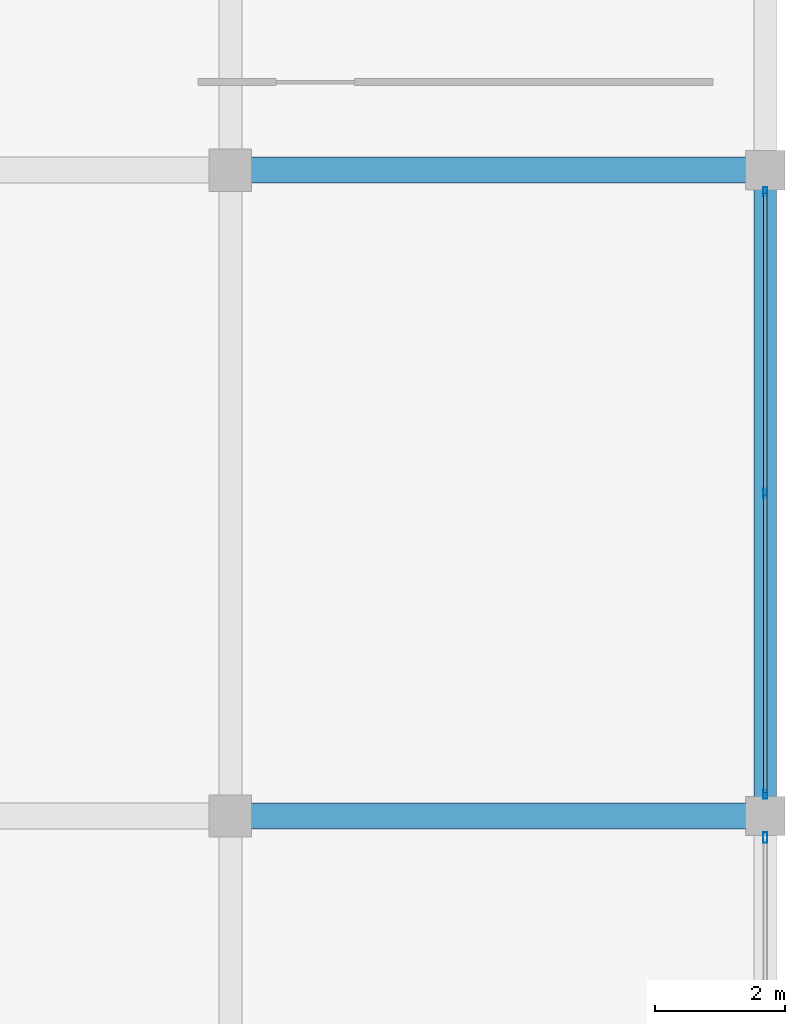
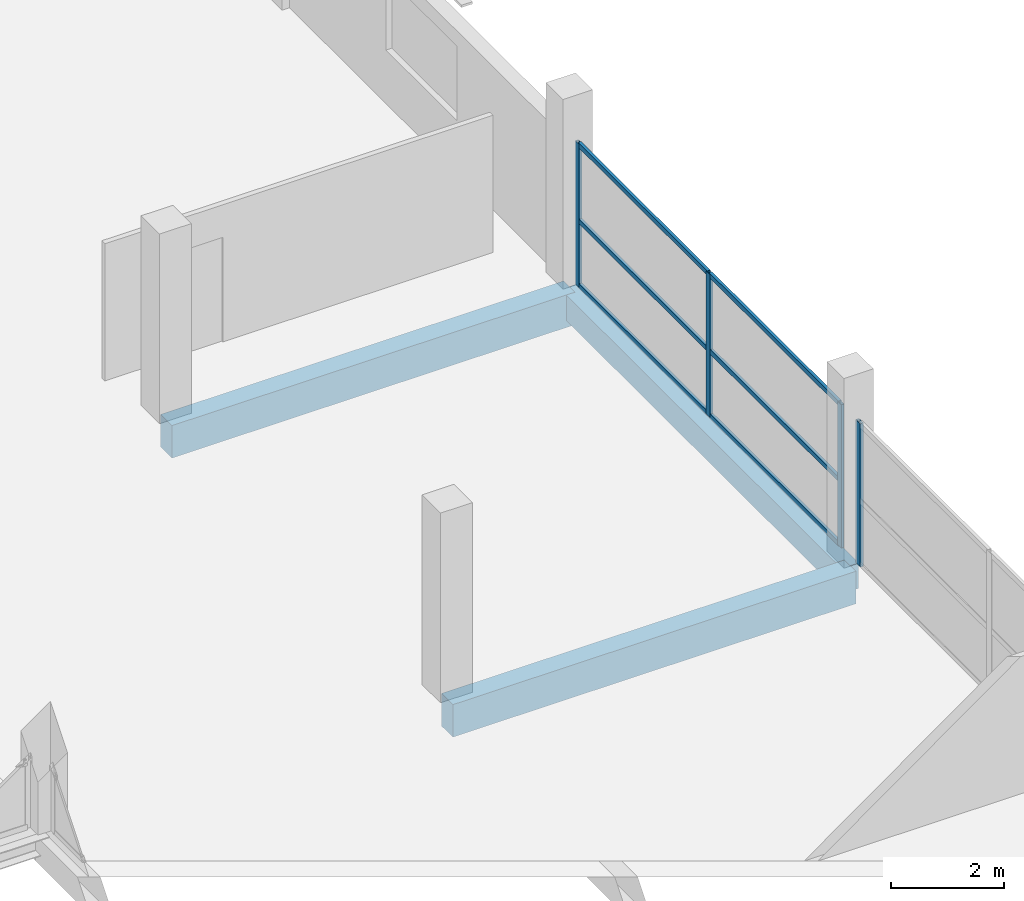
# One storey, part 43 of 70: 10 members, 3 beams, 2 elements without a shape of their own.
"""IFC4 building model written with IfcOpenShell, lengths in metres."""

from ifc_helpers import new_model, si_unit, direction, frame, origin, origin_2d, place, context, subcontext, project, spatial, rectangle, hollow_rectangle, extrude, material, layer, layer_set, material_profile, profile_set, type_object, element, aggregate, save


model = new_model("IFC4")

# Units and contexts
model_context = context("Model", 3, precision=1e-05, world=origin(), true_north=direction((0.0, 1.0)))
body_context = subcontext(model_context, "Body", "Model", "MODEL_VIEW")
ifc_project = project(units=[si_unit("LENGTHUNIT", "METRE"), si_unit("AREAUNIT", "SQUARE_METRE"), si_unit("VOLUMEUNIT", "CUBIC_METRE"), si_unit("PLANEANGLEUNIT", "RADIAN"), si_unit("MASSUNIT", "GRAM", prefix="KILO")], contexts=[model_context])

# Site, building, storey
site_placement = place(None, origin())
site = spatial("IfcSite", under=ifc_project, at=site_placement, CompositionType="ELEMENT")
building_placement = place(site_placement, origin())
building = spatial("IfcBuilding", under=site, at=building_placement, Name="Sillaruma Civic Art Gallery", CompositionType="ELEMENT")
storey_placement = place(building_placement, frame((0.0, 0.0, 66.300048828125)))
storey = spatial("IfcBuildingStorey", under=building, at=storey_placement, Name="L13", CompositionType="ELEMENT", Elevation=66.300048828125)

# Beams
ifc_material_1 = material(Name="Concrete H35 (35 MPa)", Category="concrete")
ifc_material_profile_1 = material_profile(ifc_material_1, rectangle(XDim=0.39990234375, YDim=0.699951171875, at=origin_2d()), Name="RCB400x700")
ifc_profile_set_1 = profile_set([ifc_material_profile_1], Name="Concrete H35 (35 MPa)")
beam_type_1 = type_object("IfcBeamType", Name="BM-BEAM-RCB400x700", PredefinedType="BEAM", material=ifc_profile_set_1)
for number, where, z_axis, x_axis, name in (
    (1, (106.199951171875, 69.300048828125, -0.580078125), (1.0, 0.0, 0.0), (0.0, 1.0, 0.0), "Beam BM-04 (L12:8:M-N)"),
    (2, (106.199951171875, 79.199951171875, -0.580078125), (1.0, 0.0, 0.0), (0.0, 1.0, 0.0), "Beam BM-04 (L12:9:M-N)"),
):
    element("IfcBeam", number, at=place(storey_placement, frame(where, z_axis=z_axis, x_axis=x_axis)), inside=storey, type_object=beam_type_1, Name=name, PredefinedType="BEAM", context=body_context, shape_type="SweptSolid", body=[
        extrude(rectangle(XDim=0.39990234375, YDim=0.699951171875, at=origin_2d()), origin(), (0.0, 0.0, 1.0), 8.199951171875),
    ])
ifc_material_profile_2 = material_profile(ifc_material_1, rectangle(XDim=0.35009765625, YDim=0.550048828125, at=origin_2d()), Name="RCB350x550")
ifc_profile_set_2 = profile_set([ifc_material_profile_2], Name="Concrete H35 (35 MPa)")
beam_type_2 = type_object("IfcBeamType", Name="BM-SPANDREL-RCB350x550", PredefinedType="SPANDREL", material=ifc_profile_set_2)
beam_placement = place(storey_placement, frame((114.39990234375, 69.300048828125, -0.505126953125), z_axis=(0.0, 1.0, 0.0), x_axis=(-1.0, 0.0, 0.0)))
element("IfcBeam", 3, at=beam_placement, inside=storey, type_object=beam_type_2, Name="Beam BS-04 (L12:N:8-9)", PredefinedType="SPANDREL", context=body_context, shape_type="SweptSolid", body=[
    extrude(rectangle(XDim=0.35009765625, YDim=0.550048828125, at=origin_2d()), origin(), (0.0, 0.0, 1.0), 9.89990234375),
])

# Curtain wall, members
ifc_material_2 = material(Name="Thermally Broken Extruded Aluminium 6063-T6", Category="aluminium")
ifc_layer_1 = layer(ifc_material_2, 0.139892578125, Name="Thermally Broken Extruded Aluminium 6063-T6")
ifc_layer_set_1 = layer_set([ifc_layer_1], Name="Thermally Broken Extruded Aluminium 6063-T6")
curtain_wall_type_1 = type_object("IfcCurtainWallType", Name="CW-UNI-98", PredefinedType="NOTDEFINED", material=ifc_layer_set_1)
curtain_wall_1_placement = place(storey_placement, origin())
curtain_wall_1 = element("IfcCurtainWall", 4, at=curtain_wall_1_placement, inside=storey, type_object=curtain_wall_type_1, Name="Unitised Curtain Wall CW-98 (CW-L13-EBE-6)", PredefinedType="NOTDEFINED")
ifc_material_profile_3 = material_profile(ifc_material_2, hollow_rectangle(XDim=0.06005859375, YDim=0.139892578125, WallThickness=0.00341796875, at=origin_2d()), Name="CWM60x140")
ifc_profile_set_3 = profile_set([ifc_material_profile_3], Name="Thermally Broken Extruded Aluminium 6063-T6")
member_type_1 = type_object("IfcMemberType", Name="MEM-MUL-CWM60x140", PredefinedType="MULLION", material=ifc_profile_set_3)
member_1_placement = place(storey_placement, frame((114.39990234375, 69.6298828125, 0.0), z_axis=(0.0, 0.0, 1.0), x_axis=(-1.0, 0.0, 0.0)))
member_1 = element("IfcMember", 5, at=member_1_placement, type_object=member_type_1, Name="CW-98 mullion 1", PredefinedType="MULLION", context=body_context, shape_type="SweptSolid", body=[
    extrude(hollow_rectangle(XDim=0.06005859375, YDim=0.139892578125, WallThickness=0.00341796875, at=origin_2d()), origin(), (0.0, 0.0, 1.0), 3.079833984375),
])
member_2_placement = place(storey_placement, frame((114.39990234375, 74.25, 0.0), z_axis=(0.0, 0.0, 1.0), x_axis=(-1.0, 0.0, 0.0)))
member_2 = element("IfcMember", 6, at=member_2_placement, type_object=member_type_1, Name="CW-98 mullion 2", PredefinedType="MULLION", context=body_context, shape_type="SweptSolid", body=[
    extrude(hollow_rectangle(XDim=0.06005859375, YDim=0.139892578125, WallThickness=0.00341796875, at=origin_2d()), origin(), (0.0, 0.0, 1.0), 3.079833984375),
])
member_3_placement = place(storey_placement, frame((114.39990234375, 78.8701171875, 0.0), z_axis=(0.0, 0.0, 1.0), x_axis=(-1.0, 0.0, 0.0)))
member_3 = element("IfcMember", 7, at=member_3_placement, type_object=member_type_1, Name="CW-98 mullion 3", PredefinedType="MULLION", context=body_context, shape_type="SweptSolid", body=[
    extrude(hollow_rectangle(XDim=0.06005859375, YDim=0.139892578125, WallThickness=0.00341796875, at=origin_2d()), origin(), (0.0, 0.0, 1.0), 3.079833984375),
])

# Curtain wall, member
ifc_layer_2 = layer(ifc_material_2, 0.159912109375, Name="Thermally Broken Extruded Aluminium 6063-T6")
ifc_layer_set_2 = layer_set([ifc_layer_2], Name="Thermally Broken Extruded Aluminium 6063-T6")
curtain_wall_type_2 = type_object("IfcCurtainWallType", Name="CW-UNI-102", PredefinedType="NOTDEFINED", material=ifc_layer_set_2)
curtain_wall_2_placement = place(storey_placement, origin())
curtain_wall_2 = element("IfcCurtainWall", 8, at=curtain_wall_2_placement, inside=storey, type_object=curtain_wall_type_2, Name="Unitised Curtain Wall CW-102 (CW-L13-EBE-5)", PredefinedType="NOTDEFINED")
ifc_material_profile_4 = material_profile(ifc_material_2, hollow_rectangle(XDim=0.06494140625, YDim=0.159912109375, WallThickness=0.00390625, at=origin_2d()), Name="CWM65x160")
ifc_profile_set_4 = profile_set([ifc_material_profile_4], Name="Thermally Broken Extruded Aluminium 6063-T6")
member_type_2 = type_object("IfcMemberType", Name="MEM-MUL-CWM65x160", PredefinedType="MULLION", material=ifc_profile_set_4)
member_4_placement = place(storey_placement, frame((114.39990234375, 68.967529296875, 0.0), z_axis=(0.0, 0.0, 1.0), x_axis=(-1.0, 0.0, 0.0)))
member_4 = element("IfcMember", 9, at=member_4_placement, type_object=member_type_2, Name="CW-102 mullion 3", PredefinedType="MULLION", context=body_context, shape_type="SweptSolid", body=[
    extrude(hollow_rectangle(XDim=0.06494140625, YDim=0.159912109375, WallThickness=0.00390625, at=origin_2d()), origin(), (0.0, 0.0, 1.0), 3.079833984375),
])
aggregate(curtain_wall_2, [member_4])

# Member
ifc_material_profile_5 = material_profile(ifc_material_2, hollow_rectangle(XDim=0.06005859375, YDim=0.10009765625, WallThickness=0.003173828125, at=origin_2d()), Name="CWT60x100")
ifc_profile_set_5 = profile_set([ifc_material_profile_5], Name="Thermally Broken Extruded Aluminium 6063-T6")
member_type_3 = type_object("IfcMemberType", Name="MEM-TRN-CWT60x100", PredefinedType="USERDEFINED", material=ifc_profile_set_5)
member_5_placement = place(storey_placement, frame((114.39990234375, 69.659912109375, 0.030029296875), z_axis=(0.0, 1.0, 0.0), x_axis=(-1.0, 0.0, 0.0)))
member_5 = element("IfcMember", 10, at=member_5_placement, type_object=member_type_3, Name="CW-98 transom 1.1", ObjectType="TRANSOM", PredefinedType="USERDEFINED", context=body_context, shape_type="SweptSolid", body=[
    extrude(hollow_rectangle(XDim=0.06005859375, YDim=0.10009765625, WallThickness=0.003173828125, at=origin_2d()), origin(), (0.0, 0.0, 1.0), 4.56005859375),
])

member_6_placement = place(storey_placement, frame((114.39990234375, 69.659912109375, 1.416748046875), z_axis=(0.0, 1.0, 0.0), x_axis=(-1.0, 0.0, 0.0)))
member_6 = element("IfcMember", 11, at=member_6_placement, type_object=member_type_3, Name="CW-98 transom 1.2", ObjectType="TRANSOM", PredefinedType="USERDEFINED", context=body_context, shape_type="SweptSolid", body=[
    extrude(hollow_rectangle(XDim=0.06005859375, YDim=0.10009765625, WallThickness=0.003173828125, at=origin_2d()), origin(), (0.0, 0.0, 1.0), 4.56005859375),
])

member_7_placement = place(storey_placement, frame((114.39990234375, 69.659912109375, 3.050048828125), z_axis=(0.0, 1.0, 0.0), x_axis=(-1.0, 0.0, 0.0)))
member_7 = element("IfcMember", 12, at=member_7_placement, type_object=member_type_3, Name="CW-98 transom 1.3", ObjectType="TRANSOM", PredefinedType="USERDEFINED", context=body_context, shape_type="SweptSolid", body=[
    extrude(hollow_rectangle(XDim=0.06005859375, YDim=0.10009765625, WallThickness=0.003173828125, at=origin_2d()), origin(), (0.0, 0.0, 1.0), 4.56005859375),
])

member_8_placement = place(storey_placement, frame((114.39990234375, 74.280029296875, 0.030029296875), z_axis=(0.0, 1.0, 0.0), x_axis=(-1.0, 0.0, 0.0)))
member_8 = element("IfcMember", 13, at=member_8_placement, type_object=member_type_3, Name="CW-98 transom 2.1", ObjectType="TRANSOM", PredefinedType="USERDEFINED", context=body_context, shape_type="SweptSolid", body=[
    extrude(hollow_rectangle(XDim=0.06005859375, YDim=0.10009765625, WallThickness=0.003173828125, at=origin_2d()), origin(), (0.0, 0.0, 1.0), 4.56005859375),
])

member_9_placement = place(storey_placement, frame((114.39990234375, 74.280029296875, 1.416748046875), z_axis=(0.0, 1.0, 0.0), x_axis=(-1.0, 0.0, 0.0)))
member_9 = element("IfcMember", 14, at=member_9_placement, type_object=member_type_3, Name="CW-98 transom 2.2", ObjectType="TRANSOM", PredefinedType="USERDEFINED", context=body_context, shape_type="SweptSolid", body=[
    extrude(hollow_rectangle(XDim=0.06005859375, YDim=0.10009765625, WallThickness=0.003173828125, at=origin_2d()), origin(), (0.0, 0.0, 1.0), 4.56005859375),
])

member_10_placement = place(storey_placement, frame((114.39990234375, 74.280029296875, 3.050048828125), z_axis=(0.0, 1.0, 0.0), x_axis=(-1.0, 0.0, 0.0)))
member_10 = element("IfcMember", 15, at=member_10_placement, type_object=member_type_3, Name="CW-98 transom 2.3", ObjectType="TRANSOM", PredefinedType="USERDEFINED", context=body_context, shape_type="SweptSolid", body=[
    extrude(hollow_rectangle(XDim=0.06005859375, YDim=0.10009765625, WallThickness=0.003173828125, at=origin_2d()), origin(), (0.0, 0.0, 1.0), 4.56005859375),
])

aggregate(curtain_wall_1, [member_1, member_2, member_3, member_5, member_6, member_7, member_8, member_9, member_10])

save(model, "model.ifc")
